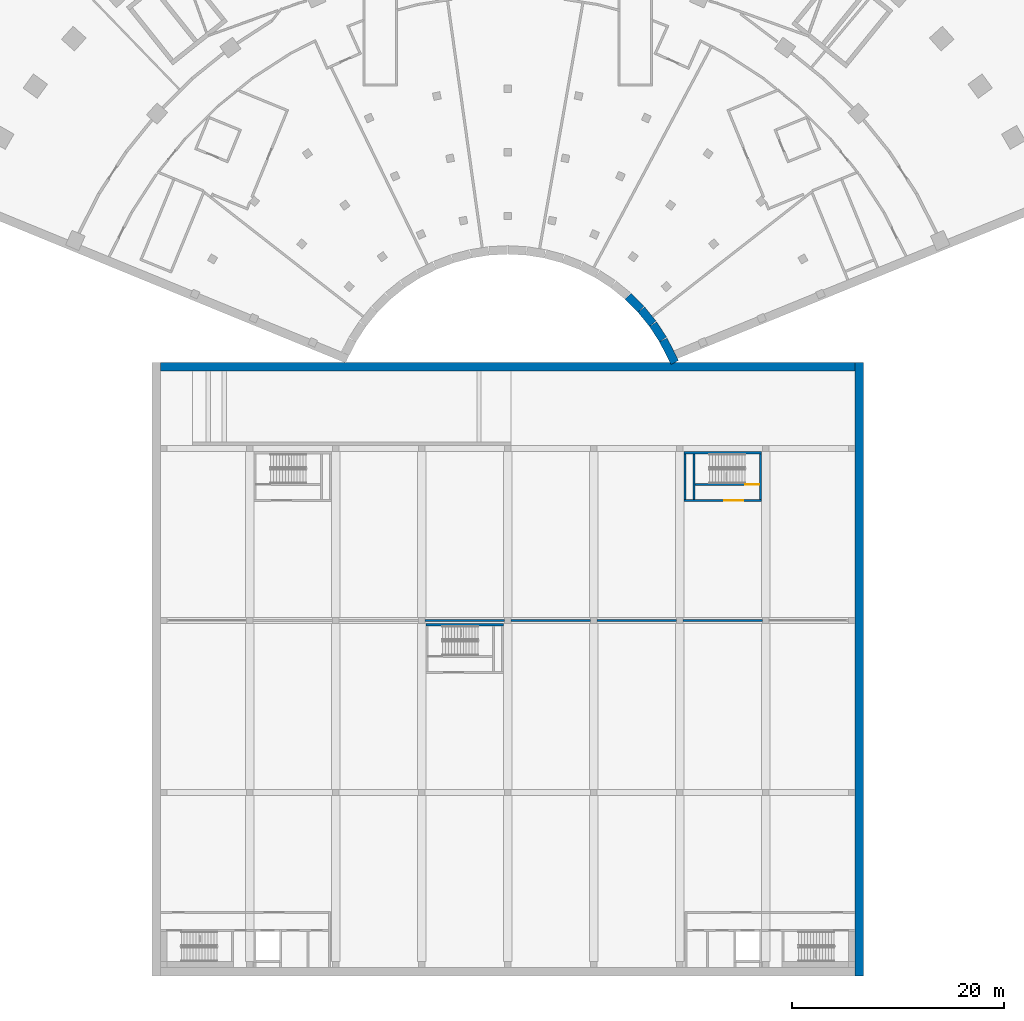
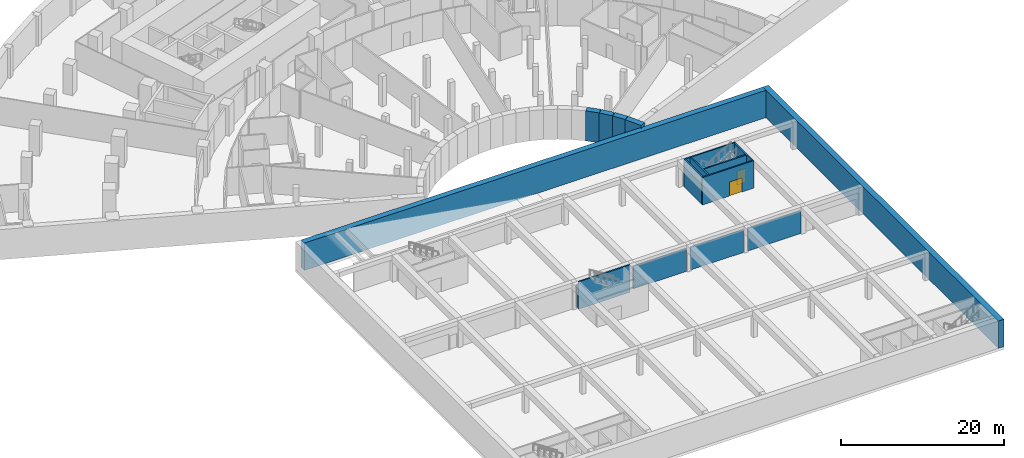
# One storey, part 5 of 21: 17 walls, 2 doors, 2 openings.
"""IFC4 building model written with IfcOpenShell, lengths in metres."""

from ifc_helpers import new_model, si_unit, direction, frame, frame_2d, origin, place, context, subcontext, project, spatial, rectangle, extrude, material, layer, layer_set, type_object, element, fill, save


model = new_model("IFC4")

# Units and contexts
model_context = context("Model", 3, precision=1e-05, world=origin(), true_north=direction((0.0, 1.0)))
body_context = subcontext(model_context, "Body", "Model", "MODEL_VIEW")
ifc_project = project(units=[si_unit("LENGTHUNIT", "METRE"), si_unit("AREAUNIT", "SQUARE_METRE"), si_unit("VOLUMEUNIT", "CUBIC_METRE"), si_unit("PLANEANGLEUNIT", "RADIAN"), si_unit("MASSUNIT", "GRAM", prefix="KILO")], contexts=[model_context])

# Site, building, storey
site_placement = place(None, origin())
site = spatial("IfcSite", under=ifc_project, at=site_placement, CompositionType="ELEMENT")
building_placement = place(site_placement, origin())
building = spatial("IfcBuilding", under=site, at=building_placement, Name="Stone Belt Terrace Tower", CompositionType="ELEMENT")
storey_placement = place(building_placement, frame((0.0, 0.0, -9.0)))
storey = spatial("IfcBuildingStorey", under=building, at=storey_placement, Name="B2", CompositionType="ELEMENT", Elevation=-9.0)

# Walls
ifc_material_1 = material(Name="Concrete B30", Category="concrete")
ifc_layer_1 = layer(ifc_material_1, 0.800048828125)
ifc_layer_set_1 = layer_set([ifc_layer_1], Name="Basement wall 800 B30")
wall_type_1 = type_object("IfcWallType", Name="Basement wall 800 B30", PredefinedType="SHEAR", material=ifc_layer_set_1)
for number, where, z_axis, x_axis, name in (
    (1, (11.323486328125, 12.544677734375, 0.0), (0.0, 0.0, 1.0), (0.707106781187, -0.707106781187, 0.0), "Basement wall B2 19"),
    (2, (12.57275390625, 11.29248046875, 0.0), (0.0, 0.0, 1.0), (0.629303947211, -0.777159277127, 0.0), "Basement wall B2 20"),
    (3, (13.68408203125, 9.916259765625, 0.0), (0.0, 0.0, 1.0), (0.544809461745, -0.83855986691, 0.0), "Basement wall B2 21"),
):
    element("IfcWall", number, at=place(storey_placement, frame(where, z_axis=z_axis, x_axis=x_axis)), inside=storey, type_object=wall_type_1, Name=name, PredefinedType="SHEAR", context=body_context, shape_type="SweptSolid", body=[
        extrude(rectangle(XDim=1.72705078125, YDim=0.800048828125, at=frame_2d((0.863525390625, 0.0))), origin(), (0.0, 0.0, 1.0), 4.5),
    ])
wall_1_placement = place(storey_placement, frame((14.645751953125, 8.431640625, 0.0), z_axis=(0.0, 0.0, 1.0), x_axis=(0.454017502274, -0.890992765195, 0.0)))
element("IfcWall", 4, at=wall_1_placement, inside=storey, type_object=wall_type_1, Name="Basement wall B2 22", PredefinedType="SHEAR", context=body_context, shape_type="SweptSolid", body=[
    extrude(rectangle(XDim=2.392333984375, YDim=0.800048828125, at=frame_2d((1.1962890625, 0.0))), origin(), (0.0, 0.0, 1.0), 4.5),
])

# Wall, opening, door
ifc_layer_2 = layer(ifc_material_1, 0.199951171875)
ifc_layer_set_2 = layer_set([ifc_layer_2], Name="Car park core wall 200")
wall_type_2 = type_object("IfcWallType", Name="Car park core wall 200", PredefinedType="SOLIDWALL", material=ifc_layer_set_2)
wall_2_placement = place(storey_placement, frame((16.60009765625, -6.699951171875, 0.0), z_axis=(0.0, 0.0, 1.0), x_axis=(1.0, 0.0, 0.0)))
wall_2 = element("IfcWall", 5, at=wall_2_placement, inside=storey, type_object=wall_type_2, Name="Car park stair 4 front wall", PredefinedType="SOLIDWALL", context=body_context, shape_type="SweptSolid", body=[
    extrude(rectangle(XDim=7.2998046875, YDim=0.199951171875, at=frame_2d((3.64990234375, 0.0))), origin(), (0.0, 0.0, 1.0), 4.10009765625),
])
opening_1_placement = place(wall_2_placement, frame((3.800048828125, 0.0, 0.0)))
opening_1 = element("IfcOpeningElement", 6, at=opening_1_placement, cuts=wall_2, Name="Opening B2-S22", PredefinedType="OPENING", context=body_context, shape_type="SweptSolid", body=[
    extrude(rectangle(XDim=1.800048828125, YDim=2.10009765625, at=frame_2d((0.89990234375, 1.050048828125))), frame((0.0, 0.10986328125, 0.0), z_axis=(0.0, -1.0, 0.0), x_axis=(1.0, 0.0, 0.0)), (0.0, 0.0, 1.0), 0.219970703125),
])
ifc_material_2 = material(Name="Steel door leaf", Category="steel")
door_type_1 = type_object("IfcDoorType", Name="Core door pair 1800 fire rated", OperationType="DOUBLE_DOOR_DOUBLE_SWING", PredefinedType="DOOR", material=ifc_material_2)
door_1_placement = place(opening_1_placement, origin())
door_1 = element("IfcDoor", 7, at=door_1_placement, inside=storey, type_object=door_type_1, Name="Car park stair 4 vestibule door", OperationType="SINGLE_SWING_LEFT", OverallHeight=2.10009765625, OverallWidth=1.800048828125, PredefinedType="DOOR", context=body_context, shape_type="SweptSolid", body=[
    extrude(rectangle(XDim=1.800048828125, YDim=2.10009765625, at=frame_2d((0.89990234375, 1.050048828125))), frame((0.0, 0.02490234375, 0.0), z_axis=(0.0, -1.0, 0.0), x_axis=(1.0, 0.0, 0.0)), (0.0, 0.0, 1.0), 0.050048828125),
])
fill(opening_1, door_1)

# Walls
for number, where, z_axis, x_axis, name in (
    (8, (23.800048828125, -6.60009765625, 0.0), (0.0, 0.0, 1.0), (0.0, 1.0, 0.0), "Car park stair 4 wall"),
    (9, (17.5400390625, -6.60009765625, 0.0), (0.0, 0.0, 1.0), (0.0, 1.0, 0.0), "Car park stair 4 wall"),
):
    element("IfcWall", number, at=place(storey_placement, frame(where, z_axis=z_axis, x_axis=x_axis)), inside=storey, type_object=wall_type_2, Name=name, PredefinedType="SOLIDWALL", context=body_context, shape_type="SweptSolid", body=[
        extrude(rectangle(XDim=4.300048828125, YDim=0.199951171875, at=frame_2d((2.14990234375, 0.0))), origin(), (0.0, 0.0, 1.0), 4.10009765625),
    ])
wall_3_placement = place(storey_placement, frame((16.60009765625, -2.199951171875, 0.0), z_axis=(0.0, 0.0, 1.0), x_axis=(1.0, 0.0, 0.0)))
element("IfcWall", 10, at=wall_3_placement, inside=storey, type_object=wall_type_2, Name="Car park stair 4 wall", PredefinedType="SOLIDWALL", context=body_context, shape_type="SweptSolid", body=[
    extrude(rectangle(XDim=7.2998046875, YDim=0.199951171875, at=frame_2d((3.64990234375, 0.0))), origin(), (0.0, 0.0, 1.0), 4.10009765625),
])
wall_4_placement = place(storey_placement, frame((16.699951171875, -6.60009765625, 0.0), z_axis=(0.0, 0.0, 1.0), x_axis=(0.0, 1.0, 0.0)))
element("IfcWall", 11, at=wall_4_placement, inside=storey, type_object=wall_type_2, Name="Car park stair 4 wall", PredefinedType="SOLIDWALL", context=body_context, shape_type="SweptSolid", body=[
    extrude(rectangle(XDim=4.300048828125, YDim=0.199951171875, at=frame_2d((2.14990234375, 0.0))), origin(), (0.0, 0.0, 1.0), 4.10009765625),
])

# Wall, opening, door
wall_5_placement = place(storey_placement, frame((17.639892578125, -5.199951171875, 0.0), z_axis=(0.0, 0.0, 1.0), x_axis=(1.0, 0.0, 0.0)))
wall_5 = element("IfcWall", 12, at=wall_5_placement, inside=storey, type_object=wall_type_2, Name="Car park stair 4 vestibule wall", PredefinedType="SOLIDWALL", context=body_context, shape_type="SweptSolid", body=[
    extrude(rectangle(XDim=6.06005859375, YDim=0.199951171875, at=frame_2d((3.030029296875, 0.0))), origin(), (0.0, 0.0, 1.0), 4.10009765625),
])
opening_2_placement = place(wall_5_placement, frame((4.735107421875, 0.0, 0.0)))
opening_2 = element("IfcOpeningElement", 13, at=opening_2_placement, cuts=wall_5, Name="Opening B2-S21", PredefinedType="OPENING", context=body_context, shape_type="SweptSolid", body=[
    extrude(rectangle(XDim=1.300048828125, YDim=2.10009765625, at=frame_2d((0.64990234375, 1.050048828125))), frame((0.0, 0.10986328125, 0.0), z_axis=(0.0, -1.0, 0.0), x_axis=(1.0, 0.0, 0.0)), (0.0, 0.0, 1.0), 0.219970703125),
])
door_type_2 = type_object("IfcDoorType", Name="Core door 1300 fire rated", OperationType="NOTDEFINED", PredefinedType="DOOR", material=ifc_material_2)
door_2_placement = place(opening_2_placement, origin())
door_2 = element("IfcDoor", 14, at=door_2_placement, inside=storey, type_object=door_type_2, Name="Stair 4 door", OperationType="SINGLE_SWING_RIGHT", OverallHeight=2.10009765625, OverallWidth=1.300048828125, PredefinedType="DOOR", context=body_context, shape_type="SweptSolid", body=[
    extrude(rectangle(XDim=1.300048828125, YDim=2.10009765625, at=frame_2d((0.64990234375, 1.050048828125))), frame((0.0, 0.02490234375, 0.0), z_axis=(0.0, -1.0, 0.0), x_axis=(1.0, 0.0, 0.0)), (0.0, 0.0, 1.0), 0.050048828125),
])
fill(opening_2, door_2)

# Walls
wall_6_placement = place(storey_placement, frame((-7.699951171875, -18.39990234375, 0.0), z_axis=(0.0, 0.0, 1.0), x_axis=(1.0, 0.0, 0.0)))
element("IfcWall", 15, at=wall_6_placement, inside=storey, type_object=wall_type_2, Name="Car park stair 5 wall", PredefinedType="SOLIDWALL", context=body_context, shape_type="SweptSolid", body=[
    extrude(rectangle(XDim=7.300048828125, YDim=0.199951171875, at=frame_2d((3.64990234375, 0.0))), origin(), (0.0, 0.0, 1.0), 4.10009765625),
])
ifc_layer_3 = layer(ifc_material_1, 0.800048828125)
ifc_layer_set_3 = layer_set([ifc_layer_3], Name="Car park retaining wall 800")
wall_type_3 = type_object("IfcWallType", Name="Car park retaining wall 800", PredefinedType="SOLIDWALL", material=ifc_layer_set_3)
wall_7_placement = place(storey_placement, frame((33.10009765625, -51.5, 0.0), z_axis=(0.0, 0.0, 1.0), x_axis=(0.0, 1.0, 0.0)))
element("IfcWall", 16, at=wall_7_placement, inside=storey, type_object=wall_type_3, Name="Car park retaining wall east", PredefinedType="SOLIDWALL", context=body_context, shape_type="SweptSolid", body=[
    extrude(rectangle(XDim=57.800048828125, YDim=0.800048828125, at=frame_2d((28.89990234375, 0.0))), origin(), (0.0, 0.0, 1.0), 4.10009765625),
])
wall_8_placement = place(storey_placement, frame((-32.699951171875, 5.89990234375, 0.0), z_axis=(0.0, 0.0, 1.0), x_axis=(1.0, 0.0, 0.0)))
element("IfcWall", 17, at=wall_8_placement, inside=storey, type_object=wall_type_3, Name="Car park retaining wall north", PredefinedType="SOLIDWALL", context=body_context, shape_type="SweptSolid", body=[
    extrude(rectangle(XDim=65.39990234375, YDim=0.800048828125, at=frame_2d((32.699951171875, 0.0))), origin(), (0.0, 0.0, 1.0), 4.10009765625),
])
ifc_layer_4 = layer(ifc_material_1, 0.199951171875)
ifc_layer_set_4 = layer_set([ifc_layer_4], Name="Compartment wall 200")
wall_type_4 = type_object("IfcWallType", Name="Compartment wall 200", PredefinedType="SOLIDWALL", material=ifc_layer_set_4)
for number, where, z_axis, x_axis, name in (
    (18, (-7.800048828125, -18.0, 0.0), (0.0, 0.0, 1.0), (1.0, 0.0, 0.0), "Compartment wall B2 4"),
    (19, (0.300048828125, -18.0, 0.0), (0.0, 0.0, 1.0), (1.0, 0.0, 0.0), "Compartment wall B2 5"),
    (20, (8.39990234375, -18.0, 0.0), (0.0, 0.0, 1.0), (1.0, 0.0, 0.0), "Compartment wall B2 6"),
    (21, (16.5, -18.0, 0.0), (0.0, 0.0, 1.0), (1.0, 0.0, 0.0), "Compartment wall B2 7"),
):
    element("IfcWall", number, at=place(storey_placement, frame(where, z_axis=z_axis, x_axis=x_axis)), inside=storey, type_object=wall_type_4, Name=name, PredefinedType="SOLIDWALL", context=body_context, shape_type="SweptSolid", body=[
        extrude(rectangle(XDim=7.5, YDim=0.199951171875, at=frame_2d((3.75, 0.0))), origin(), (0.0, 0.0, 1.0), 3.39990234375),
    ])

save(model, "model.ifc")
